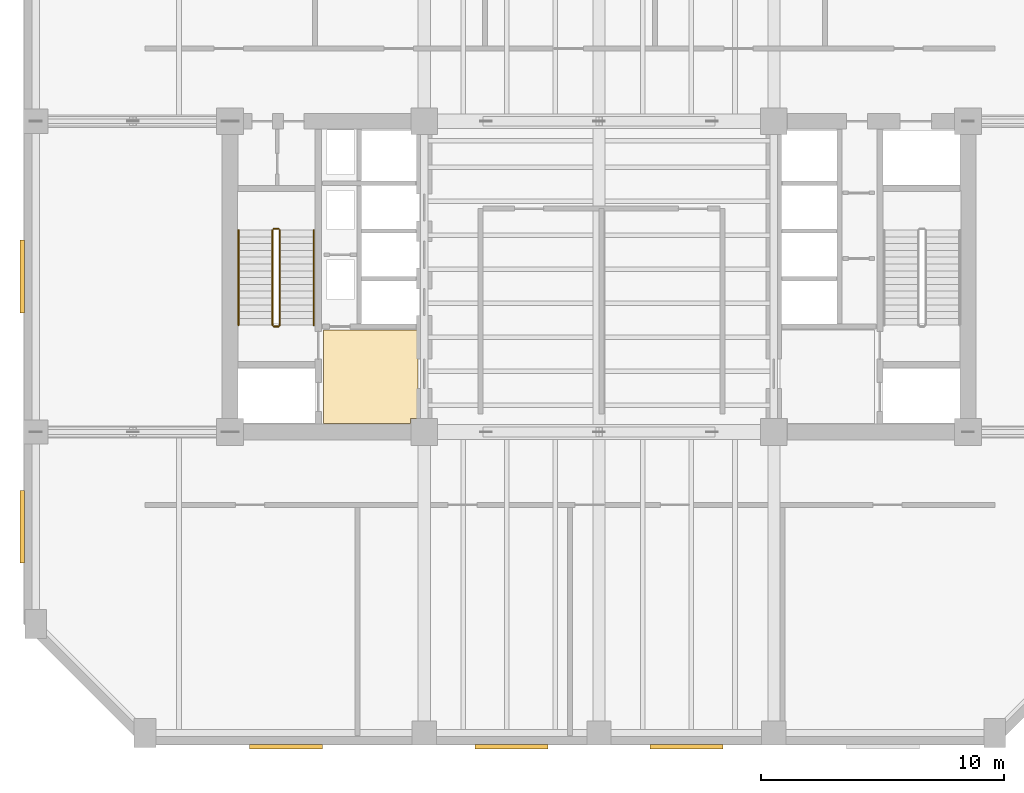
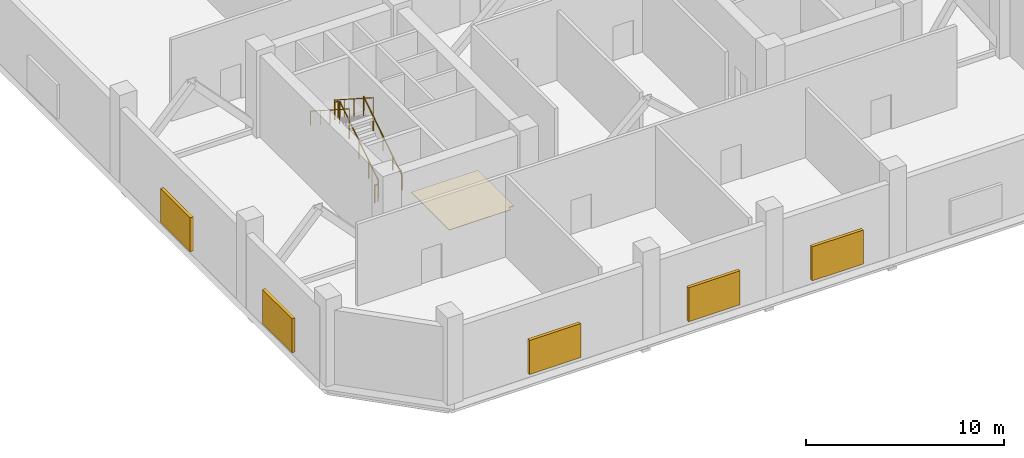
# One storey, part 7 of 9: 6 railings, 5 shading devices, 1 covering.
"""IFC4 building model written with IfcOpenShell, lengths in metres."""

from ifc_helpers import new_model, si_unit, direction, frame, origin, origin_2d, place, context, subcontext, project, spatial, polyline, rectangle, circle, outline, extrude, material, layer, layer_set, type_object, element, save


model = new_model("IFC4")

# Units and contexts
model_context = context("Model", 3, precision=1e-05, world=origin(), true_north=direction((0.0, 1.0)))
body_context = subcontext(model_context, "Body", "Model", "MODEL_VIEW")
ifc_project = project(units=[si_unit("LENGTHUNIT", "METRE"), si_unit("AREAUNIT", "SQUARE_METRE"), si_unit("VOLUMEUNIT", "CUBIC_METRE"), si_unit("PLANEANGLEUNIT", "RADIAN"), si_unit("MASSUNIT", "GRAM", prefix="KILO")], contexts=[model_context])

# Site, building, storey
site_placement = place(None, origin())
site = spatial("IfcSite", under=ifc_project, at=site_placement, CompositionType="ELEMENT")
building_placement = place(site_placement, origin())
building = spatial("IfcBuilding", under=site, at=building_placement, Name="Kranthara Brick Stack", CompositionType="ELEMENT")
storey_placement = place(building_placement, frame((0.0, 0.0, 110.10009765625)))
storey = spatial("IfcBuildingStorey", under=building, at=storey_placement, Name="L27", CompositionType="ELEMENT", Elevation=110.10009765625)

# Covering
ifc_material_1 = material(Name="Honed terrazzo and porcelain floor finish", Category="stone")
ifc_layer = layer(ifc_material_1, 0.030029296875)
ifc_layer_set = layer_set([ifc_layer], Name="Honed terrazzo and porcelain floor finish")
covering_type = type_object("IfcCoveringType", Name="COV-FLOR-STONE", PredefinedType="FLOORING", material=ifc_layer_set)
covering_placement = place(storey_placement, origin())
element("IfcCovering", 1, at=covering_placement, inside=storey, type_object=covering_type, Name="L27 Lift Lobby Stone Flooring", PredefinedType="FLOORING", context=body_context, shape_type="SweptSolid", body=[
    extrude(outline(polyline([(16.64990234375, 21.14990234375), (16.64990234375, 25.0), (20.550048828125, 25.0), (20.550048828125, 21.360107421875), (20.239990234375, 21.360107421875), (20.239990234375, 21.14990234375), (16.64990234375, 21.14990234375)])), origin(), (0.0, 0.0, 1.0), 0.02978515625),
])

# Railings
ifc_material_2 = material(Name="Painted galvanized steel stair guardrail", Category="steel")
railing_type_1 = type_object("IfcRailingType", Name="RL-STAIR-GUARD-1100", PredefinedType="GUARDRAIL", material=ifc_material_2)
railing_1_placement = place(storey_placement, frame((14.85009765625, 25.199951171875, 0.179931640625)))
element("IfcRailing", 2, at=railing_1_placement, inside=storey, type_object=railing_type_1, Name="L27 ST01 stair guard 1", PredefinedType="GUARDRAIL", context=body_context, shape_type="SweptSolid", body=[
    extrude(circle(Radius=0.02392578125, at=origin_2d()), frame((0.0, 0.0, 1.076171875), z_axis=(0.0, 0.841186985886, 0.540744352514), x_axis=(-1.0, 0.0, 0.0)), (0.0, 0.0, 1.0), 4.660400390625),
    extrude(circle(Radius=0.02099609375, at=origin_2d()), origin(), (0.0, 0.0, 1.0), 1.052001953125),
    extrude(circle(Radius=0.02099609375, at=origin_2d()), frame((0.0, 0.97998046875, 0.6298828125)), (0.0, 0.0, 1.0), 1.052001953125),
    extrude(circle(Radius=0.02099609375, at=origin_2d()), frame((0.0, 1.9599609375, 1.260009765625)), (0.0, 0.0, 1.0), 1.052001953125),
    extrude(circle(Radius=0.02099609375, at=origin_2d()), frame((0.0, 2.940185546875, 1.89013671875)), (0.0, 0.0, 1.0), 1.052001953125),
    extrude(circle(Radius=0.02099609375, at=origin_2d()), frame((0.0, 3.920166015625, 2.52001953125)), (0.0, 0.0, 1.0), 1.052001953125),
])
railing_2_placement = place(storey_placement, frame((14.800048828125, 29.169921875, 2.699951171875)))
element("IfcRailing", 3, at=railing_2_placement, inside=storey, type_object=railing_type_1, Name="L27 ST01 stair guard 2", PredefinedType="GUARDRAIL", context=body_context, shape_type="SweptSolid", body=[
    extrude(circle(Radius=0.02392578125, at=origin_2d()), frame((0.0, 0.0, 1.076171875), z_axis=(-1.0, 0.0, 0.0), x_axis=(0.0, -1.0, 0.0)), (0.0, 0.0, 1.0), 0.199951171875),
    extrude(circle(Radius=0.02099609375, at=origin_2d()), origin(), (0.0, 0.0, 1.0), 1.052001953125),
    extrude(circle(Radius=0.02099609375, at=origin_2d()), frame((-0.199951171875, 0.0, 0.0)), (0.0, 0.0, 1.0), 1.052001953125),
])
railing_3_placement = place(storey_placement, frame((14.550048828125, 29.1201171875, 2.8798828125)))
element("IfcRailing", 4, at=railing_3_placement, inside=storey, type_object=railing_type_1, Name="L27 ST01 stair guard 3", PredefinedType="GUARDRAIL", context=body_context, shape_type="SweptSolid", body=[
    extrude(circle(Radius=0.02392578125, at=origin_2d()), frame((0.0, 0.0, 1.076171875), z_axis=(0.0, -0.841186985886, 0.540744352514), x_axis=(1.0, 0.0, 0.0)), (0.0, 0.0, 1.0), 4.660400390625),
    extrude(circle(Radius=0.02099609375, at=origin_2d()), origin(), (0.0, 0.0, 1.0), 1.052001953125),
    extrude(circle(Radius=0.02099609375, at=origin_2d()), frame((0.0, -0.97998046875, 0.6298828125)), (0.0, 0.0, 1.0), 1.052001953125),
    extrude(circle(Radius=0.02099609375, at=origin_2d()), frame((0.0, -1.9599609375, 1.260009765625)), (0.0, 0.0, 1.0), 1.052001953125),
    extrude(circle(Radius=0.02099609375, at=origin_2d()), frame((0.0, -2.940185546875, 1.89013671875)), (0.0, 0.0, 1.0), 1.052001953125),
    extrude(circle(Radius=0.02099609375, at=origin_2d()), frame((0.0, -3.920166015625, 2.52001953125)), (0.0, 0.0, 1.0), 1.052001953125),
])
railing_4_placement = place(storey_placement, frame((14.800048828125, 25.14990234375, 0.0)))
element("IfcRailing", 5, at=railing_4_placement, inside=storey, type_object=railing_type_1, Name="L27 ST01 stair guard 4", PredefinedType="GUARDRAIL", context=body_context, shape_type="SweptSolid", body=[
    extrude(circle(Radius=0.02392578125, at=origin_2d()), frame((0.0, 0.0, 1.076171875), z_axis=(-1.0, 0.0, 0.0), x_axis=(0.0, -1.0, 0.0)), (0.0, 0.0, 1.0), 0.199951171875),
    extrude(circle(Radius=0.02099609375, at=origin_2d()), origin(), (0.0, 0.0, 1.0), 1.052001953125),
    extrude(circle(Radius=0.02099609375, at=origin_2d()), frame((-0.199951171875, 0.0, 0.0)), (0.0, 0.0, 1.0), 1.052001953125),
])
ifc_material_3 = material(Name="Brushed stainless steel tubular handrail", Category="steel")
railing_type_2 = type_object("IfcRailingType", Name="RL-STAIR-HAND-900", PredefinedType="HANDRAIL", material=ifc_material_3)
railing_5_placement = place(storey_placement, frame((16.25, 25.199951171875, 0.179931640625)))
element("IfcRailing", 6, at=railing_5_placement, inside=storey, type_object=railing_type_2, Name="L27 ST01 stair handrail 1", PredefinedType="HANDRAIL", context=body_context, shape_type="SweptSolid", body=[
    extrude(circle(Radius=0.02392578125, at=origin_2d()), frame((0.0, 0.0, 0.8759765625), z_axis=(0.0, 0.841186985886, 0.540744352514), x_axis=(-1.0, 0.0, 0.0)), (0.0, 0.0, 1.0), 4.660400390625),
    extrude(circle(Radius=0.02099609375, at=origin_2d()), origin(), (0.0, 0.0, 1.0), 0.851806640625),
    extrude(circle(Radius=0.02099609375, at=origin_2d()), frame((0.0, 0.97998046875, 0.6298828125)), (0.0, 0.0, 1.0), 0.851806640625),
    extrude(circle(Radius=0.02099609375, at=origin_2d()), frame((0.0, 1.9599609375, 1.260009765625)), (0.0, 0.0, 1.0), 0.851806640625),
    extrude(circle(Radius=0.02099609375, at=origin_2d()), frame((0.0, 2.940185546875, 1.89013671875)), (0.0, 0.0, 1.0), 0.851806640625),
    extrude(circle(Radius=0.02099609375, at=origin_2d()), frame((0.0, 3.920166015625, 2.52001953125)), (0.0, 0.0, 1.0), 0.851806640625),
])
railing_6_placement = place(storey_placement, frame((13.14990234375, 29.1201171875, 2.8798828125)))
element("IfcRailing", 7, at=railing_6_placement, inside=storey, type_object=railing_type_2, Name="L27 ST01 stair handrail 2", PredefinedType="HANDRAIL", context=body_context, shape_type="SweptSolid", body=[
    extrude(circle(Radius=0.02392578125, at=origin_2d()), frame((0.0, 0.0, 0.8759765625), z_axis=(0.0, -0.841186985886, 0.540744352514), x_axis=(1.0, 0.0, 0.0)), (0.0, 0.0, 1.0), 4.660400390625),
    extrude(circle(Radius=0.02099609375, at=origin_2d()), origin(), (0.0, 0.0, 1.0), 0.851806640625),
    extrude(circle(Radius=0.02099609375, at=origin_2d()), frame((0.0, -0.97998046875, 0.6298828125)), (0.0, 0.0, 1.0), 0.851806640625),
    extrude(circle(Radius=0.02099609375, at=origin_2d()), frame((0.0, -1.9599609375, 1.260009765625)), (0.0, 0.0, 1.0), 0.851806640625),
    extrude(circle(Radius=0.02099609375, at=origin_2d()), frame((0.0, -2.940185546875, 1.89013671875)), (0.0, 0.0, 1.0), 0.851806640625),
    extrude(circle(Radius=0.02099609375, at=origin_2d()), frame((0.0, -3.920166015625, 2.52001953125)), (0.0, 0.0, 1.0), 0.851806640625),
])

# Shading devices
ifc_material_4 = material(Name="Bronze anodised aluminium acoustic louvre", Category="aluminium")
shading_device_type = type_object("IfcShadingDeviceType", Name="SHD-LOUVRE-PLANT", PredefinedType="JALOUSIE", material=ifc_material_4)
for number, where, z_axis, x_axis, name in (
    (8, (31.60009765625, 7.840087890625, 0.2998046875), (0.0, 0.0, 1.0), (-1.0, 0.0, 0.0), "L27 SOUTH Mechanical Louvre Bank 2"),
    (9, (24.39990234375, 7.840087890625, 0.2998046875), (0.0, 0.0, 1.0), (-1.0, 0.0, 0.0), "L27 SOUTH Mechanical Louvre Bank 3"),
    (10, (15.10009765625, 7.840087890625, 0.2998046875), (0.0, 0.0, 1.0), (-1.0, 0.0, 0.0), "L27 SOUTH Mechanical Louvre Bank 4"),
    (11, (4.239990234375, 16.89990234375, 0.2998046875), (0.0, 0.0, 1.0), (0.0, 1.0, 0.0), "L27 WEST Mechanical Louvre Bank 1"),
    (12, (4.239990234375, 27.199951171875, 0.2998046875), (0.0, 0.0, 1.0), (0.0, 1.0, 0.0), "L27 WEST Mechanical Louvre Bank 2"),
):
    element("IfcShadingDevice", number, at=place(storey_placement, frame(where, z_axis=z_axis, x_axis=x_axis)), inside=storey, type_object=shading_device_type, Name=name, PredefinedType="JALOUSIE", context=body_context, shape_type="SweptSolid", body=[
        extrude(rectangle(XDim=3.0, YDim=0.179931640625, at=origin_2d()), origin(), (0.0, 0.0, 1.0), 2.10009765625),
    ])

save(model, "model.ifc")
